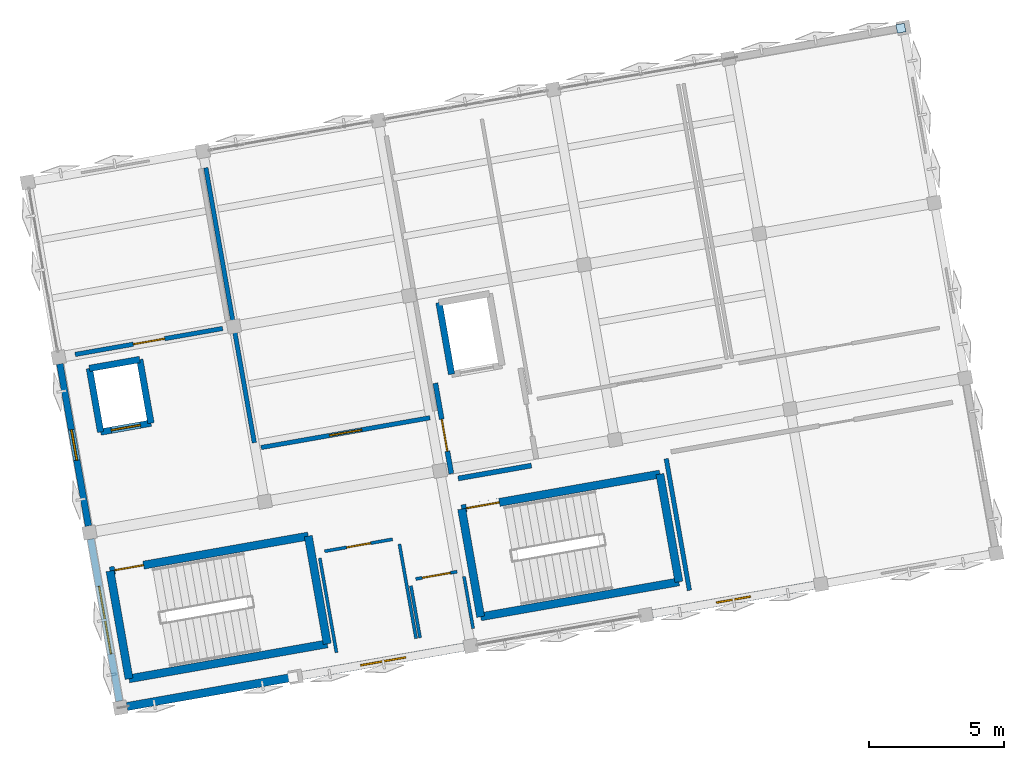
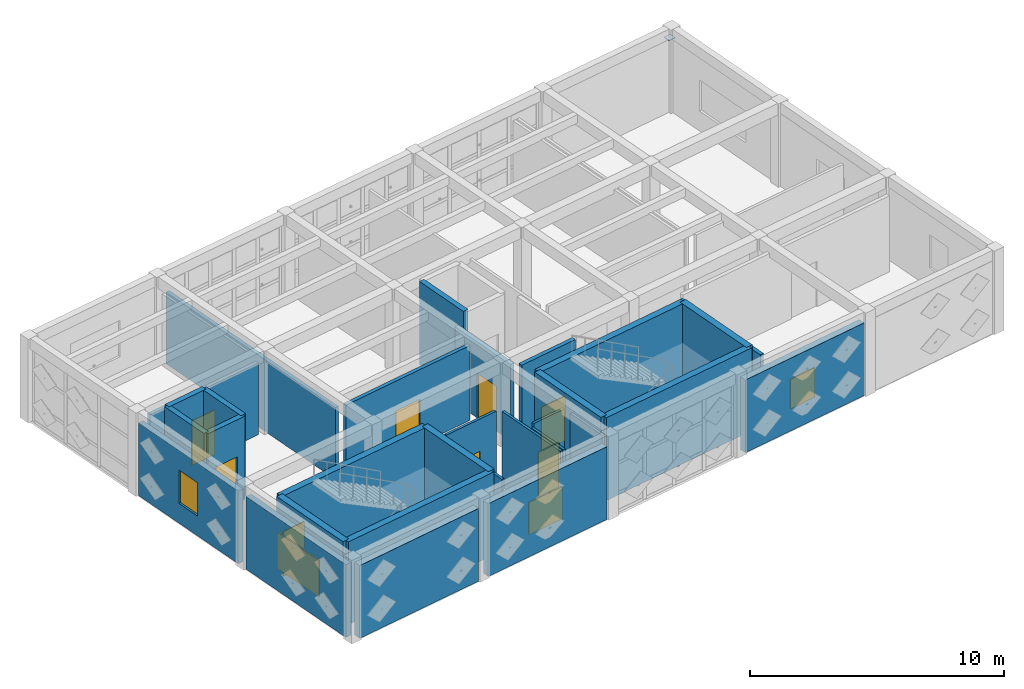
# One storey, part 11 of 15: 30 walls, 8 doors, 4 windows, 1 plate, 12 openings.
"""IFC4 building model written with IfcOpenShell, lengths in metres."""

from ifc_helpers import new_model, si_unit, direction, frame, frame_2d, origin, origin_2d, place, context, subcontext, project, spatial, rectangle, extrude, material, layer, layer_set, type_object, element, fill, save


model = new_model("IFC4")

# Units and contexts
model_context = context("Model", 3, precision=1e-05, world=origin(), true_north=direction((0.0, 1.0)))
body_context = subcontext(model_context, "Body", "Model", "MODEL_VIEW")
ifc_project = project(units=[si_unit("LENGTHUNIT", "METRE"), si_unit("AREAUNIT", "SQUARE_METRE"), si_unit("VOLUMEUNIT", "CUBIC_METRE"), si_unit("PLANEANGLEUNIT", "RADIAN"), si_unit("MASSUNIT", "GRAM", prefix="KILO")], contexts=[model_context])

# Site, building, storey
site_placement = place(None, origin())
site = spatial("IfcSite", under=ifc_project, at=site_placement, CompositionType="ELEMENT")
building_placement = place(site_placement, origin())
building = spatial("IfcBuilding", under=site, at=building_placement, Name="Kharisveld Research Institute", CompositionType="ELEMENT")
storey_placement = place(building_placement, frame((0.0, 0.0, 40.800048828125)))
storey = spatial("IfcBuildingStorey", under=building, at=storey_placement, Name="L09", CompositionType="ELEMENT", Elevation=40.800048828125)

# Plate
ifc_material_1 = material(Name="Steel S355JR", Category="steel")
ifc_layer_1 = layer(ifc_material_1, 0.01806640625)
ifc_layer_set_1 = layer_set([ifc_layer_1], Name="PL_CAP_B")
plate_type = type_object("IfcPlateType", Name="PL_CAP_B", PredefinedType="SHEET", material=ifc_layer_set_1)
plate_placement = place(storey_placement, frame((34.161865234375, 60.22216796875, 3.450927734375), z_axis=(0.0, 0.0, 1.0), x_axis=(0.984807753012, 0.173648177667, 0.0)))
element("IfcPlate", 1, at=plate_placement, inside=storey, type_object=plate_type, Name="PLT:V1:L09:CAP_4_3", PredefinedType="SHEET", context=body_context, shape_type="SweptSolid", body=[
    extrude(rectangle(XDim=0.320068359375, YDim=0.320068359375, at=origin_2d()), origin(), (0.0, 0.0, 1.0), 0.01806640625),
])

# Walls
ifc_material_2 = material(Name="Concrete C40/50", Category="concrete")
ifc_layer_2 = layer(ifc_material_2, 0.239990234375)
ifc_layer_set_2 = layer_set([ifc_layer_2], Name="WL_CORE_240")
wall_type_1 = type_object("IfcWallType", Name="WL_CORE_240", PredefinedType="SHEAR", material=ifc_layer_set_2)
wall_1_placement = place(storey_placement, frame((17.48828125, 47.3818359375, 0.0), z_axis=(0.0, 0.0, 1.0), x_axis=(-0.173615102578, 0.98481358447, 0.0)))
element("IfcWall", 2, at=wall_1_placement, inside=storey, type_object=wall_type_1, Name="WL:LFT:FFL-01:L09:W", PredefinedType="SHEAR", context=body_context, shape_type="SweptSolid", body=[
    extrude(rectangle(XDim=2.699951171875, YDim=0.239990234375, at=frame_2d((1.35009765625, 0.0))), origin(), (0.0, 0.0, 1.0), 3.97998046875),
])
wall_2_placement = place(storey_placement, frame((4.462890625, 45.2373046875, 0.0), z_axis=(0.0, 0.0, 1.0), x_axis=(-0.173646056486, 0.984808127031, 0.0)))
element("IfcWall", 3, at=wall_2_placement, inside=storey, type_object=wall_type_1, Name="WL:LFT:PL-01:L09:W", PredefinedType="SHEAR", context=body_context, shape_type="SweptSolid", body=[
    extrude(rectangle(XDim=2.39990234375, YDim=0.239990234375, at=frame_2d((1.199951171875, 0.0))), origin(), (0.0, 0.0, 1.0), 3.97998046875),
])
wall_3_placement = place(storey_placement, frame((4.046142578125, 47.600830078125, 0.0), z_axis=(0.0, 0.0, 1.0), x_axis=(0.984793905749, 0.173726691098, 0.0)))
element("IfcWall", 4, at=wall_3_placement, inside=storey, type_object=wall_type_1, Name="WL:LFT:PL-01:L09:N", PredefinedType="SHEAR", context=body_context, shape_type="SweptSolid", body=[
    extrude(rectangle(XDim=1.89990234375, YDim=0.239990234375, at=frame_2d((0.949951171875, 0.0))), origin(), (0.0, 0.0, 1.0), 3.97998046875),
])
wall_4_placement = place(storey_placement, frame((5.917236328125, 47.930908203125, 0.0), z_axis=(0.0, 0.0, 1.0), x_axis=(0.173646056486, -0.984808127031, 0.0)))
element("IfcWall", 5, at=wall_4_placement, inside=storey, type_object=wall_type_1, Name="WL:LFT:PL-01:L09:E", PredefinedType="SHEAR", context=body_context, shape_type="SweptSolid", body=[
    extrude(rectangle(XDim=2.39990234375, YDim=0.239990234375, at=frame_2d((1.199951171875, 0.0))), origin(), (0.0, 0.0, 1.0), 3.97998046875),
])

# Wall, opening, door
wall_5_placement = place(storey_placement, frame((6.333984375, 45.5673828125, 0.0), z_axis=(0.0, 0.0, 1.0), x_axis=(-0.984793905749, -0.173726691098, 0.0)))
wall_5 = element("IfcWall", 6, at=wall_5_placement, inside=storey, type_object=wall_type_1, Name="WL:LFT:PL-01:L09:S", PredefinedType="SHEAR", context=body_context, shape_type="SweptSolid", body=[
    extrude(rectangle(XDim=1.89990234375, YDim=0.239990234375, at=frame_2d((0.949951171875, 0.0))), origin(), (0.0, 0.0, 1.0), 3.97998046875),
])
opening_1_placement = place(wall_5_placement, frame((0.39990234375, 0.0, 0.0)))
opening_1 = element("IfcOpeningElement", 7, at=opening_1_placement, cuts=wall_5, Name="Opening LD-01", PredefinedType="OPENING", context=body_context, shape_type="SweptSolid", body=[
    extrude(rectangle(XDim=1.10009765625, YDim=2.199951171875, at=frame_2d((0.550048828125, 1.10009765625))), frame((0.0, 0.1201171875, 0.0), z_axis=(0.0, -1.0, 0.0), x_axis=(1.0, 0.0, 0.0)), (0.0, 0.0, 1.0), 0.239990234375),
])
ifc_material_3 = material(Name="Flush Painted Hardwood and Anodised Aluminium", Category="wood")
door_type_1 = type_object("IfcDoorType", Name="DR_LFT_110", OperationType="SLIDING_TO_LEFT", PredefinedType="DOOR", material=ifc_material_3)
door_1_placement = place(opening_1_placement, origin())
door_1 = element("IfcDoor", 8, at=door_1_placement, inside=storey, type_object=door_type_1, Name="PL-01 Lift Landing Door L09", OperationType="SLIDING_TO_LEFT", OverallHeight=2.199951171875, OverallWidth=1.10009765625, PredefinedType="DOOR", context=body_context, shape_type="SweptSolid", body=[
    extrude(rectangle(XDim=1.10009765625, YDim=2.199951171875, at=frame_2d((0.550048828125, 1.10009765625))), frame((0.0, 0.02490234375, 0.0), z_axis=(0.0, -1.0, 0.0), x_axis=(1.0, 0.0, 0.0)), (0.0, 0.0, 1.0), 0.050048828125),
])
fill(opening_1, door_1)

# Wall
ifc_material_4 = material(Name="Concrete C40/50", Category="concrete")
ifc_layer_3 = layer(ifc_material_4, 0.300048828125)
ifc_layer_set_3 = layer_set([ifc_layer_3], Name="WL_CORE_300")
wall_type_2 = type_object("IfcWallType", Name="WL_CORE_300", PredefinedType="SHEAR", material=ifc_layer_set_3)
wall_6_placement = place(storey_placement, frame((5.518798828125, 36.08154296875, 0.0), z_axis=(0.0, 0.0, 1.0), x_axis=(-0.173665267602, 0.984804739443, 0.0)))
element("IfcWall", 9, at=wall_6_placement, inside=storey, type_object=wall_type_2, Name="WL:STR:ST1:L09:W", PredefinedType="SHEAR", context=body_context, shape_type="SweptSolid", body=[
    extrude(rectangle(XDim=4.06005859375, YDim=0.300048828125, at=frame_2d((2.030029296875, 0.0))), origin(), (0.0, 0.0, 1.0), 3.97998046875),
])

# Wall, opening, door
wall_7_placement = place(storey_placement, frame((4.813720703125, 40.079833984375, 0.0), z_axis=(0.0, 0.0, 1.0), x_axis=(0.984802636214, 0.173677193974, 0.0)))
wall_7 = element("IfcWall", 10, at=wall_7_placement, inside=storey, type_object=wall_type_2, Name="WL:STR:ST1:L09:N", PredefinedType="SHEAR", context=body_context, shape_type="SweptSolid", body=[
    extrude(rectangle(XDim=7.469970703125, YDim=0.300048828125, at=frame_2d((3.73486328125, 0.0))), origin(), (0.0, 0.0, 1.0), 3.97998046875),
])
opening_2_placement = place(wall_7_placement, frame((0.179931640625, 0.0, 0.0)))
opening_2 = element("IfcOpeningElement", 11, at=opening_2_placement, cuts=wall_7, Name="Opening DS-011", PredefinedType="OPENING", context=body_context, shape_type="SweptSolid", body=[
    extrude(rectangle(XDim=1.080078125, YDim=2.14990234375, at=frame_2d((0.5400390625, 1.074951171875))), frame((0.0, 0.14990234375, 0.0), z_axis=(0.0, -1.0, 0.0), x_axis=(1.0, 0.0, 0.0)), (0.0, 0.0, 1.0), 0.300048828125),
])
ifc_material_5 = material(Name="Flush Painted Hardwood and Anodised Aluminium", Category="wood")
door_type_2 = type_object("IfcDoorType", Name="DR_FD60_108", OperationType="NOTDEFINED", PredefinedType="DOOR", material=ifc_material_5)
door_2_placement = place(opening_2_placement, origin())
door_2 = element("IfcDoor", 12, at=door_2_placement, inside=storey, type_object=door_type_2, Name="DR:STR:ST1:L09", OperationType="SINGLE_SWING_RIGHT", OverallHeight=2.14990234375, OverallWidth=1.080078125, PredefinedType="DOOR", context=body_context, shape_type="SweptSolid", body=[
    extrude(rectangle(XDim=1.080078125, YDim=2.14990234375, at=frame_2d((0.5400390625, 1.074951171875))), frame((0.0, 0.02490234375, 0.0), z_axis=(0.0, -1.0, 0.0), x_axis=(1.0, 0.0, 0.0)), (0.0, 0.0, 1.0), 0.050048828125),
])
fill(opening_2, door_2)

# Walls
wall_8_placement = place(storey_placement, frame((12.170166015625, 41.377197265625, 0.0), z_axis=(0.0, 0.0, 1.0), x_axis=(0.173654983803, -0.984806552883, 0.0)))
element("IfcWall", 13, at=wall_8_placement, inside=storey, type_object=wall_type_2, Name="WL:STR:ST1:L09:E", PredefinedType="SHEAR", context=body_context, shape_type="SweptSolid", body=[
    extrude(rectangle(XDim=4.060302734375, YDim=0.300048828125, at=frame_2d((2.0302734375, 0.0))), origin(), (0.0, 0.0, 1.0), 3.97998046875),
])
wall_9_placement = place(storey_placement, frame((12.875244140625, 37.378662109375, 0.0), z_axis=(0.0, 0.0, 1.0), x_axis=(-0.984808225754, -0.173645496596, 0.0)))
element("IfcWall", 14, at=wall_9_placement, inside=storey, type_object=wall_type_2, Name="WL:STR:ST1:L09:S", PredefinedType="SHEAR", context=body_context, shape_type="SweptSolid", body=[
    extrude(rectangle(XDim=7.469970703125, YDim=0.300048828125, at=frame_2d((3.73486328125, 0.0))), origin(), (0.0, 0.0, 1.0), 3.97998046875),
])
wall_10_placement = place(storey_placement, frame((18.5673828125, 38.382568359375, 0.0), z_axis=(0.0, 0.0, 1.0), x_axis=(-0.173606946886, 0.984815022221, 0.0)))
element("IfcWall", 15, at=wall_10_placement, inside=storey, type_object=wall_type_2, Name="WL:STR:ST2:L09:W", PredefinedType="SHEAR", context=body_context, shape_type="SweptSolid", body=[
    extrude(rectangle(XDim=4.06005859375, YDim=0.300048828125, at=frame_2d((2.030029296875, 0.0))), origin(), (0.0, 0.0, 1.0), 3.97998046875),
])

# Wall, opening, door
wall_11_placement = place(storey_placement, frame((17.862548828125, 42.380859375, 0.0), z_axis=(0.0, 0.0, 1.0), x_axis=(0.984808225754, 0.173645496596, 0.0)))
wall_11 = element("IfcWall", 16, at=wall_11_placement, inside=storey, type_object=wall_type_2, Name="WL:STR:ST2:L09:N", PredefinedType="SHEAR", context=body_context, shape_type="SweptSolid", body=[
    extrude(rectangle(XDim=7.469970703125, YDim=0.300048828125, at=frame_2d((3.73486328125, 0.0))), origin(), (0.0, 0.0, 1.0), 3.97998046875),
])
opening_3_placement = place(wall_11_placement, frame((0.179931640625, 0.0, 0.0)))
opening_3 = element("IfcOpeningElement", 17, at=opening_3_placement, cuts=wall_11, Name="Opening DS-024", PredefinedType="OPENING", context=body_context, shape_type="SweptSolid", body=[
    extrude(rectangle(XDim=1.239990234375, YDim=2.14990234375, at=frame_2d((0.6201171875, 1.074951171875))), frame((0.0, 0.14990234375, 0.0), z_axis=(0.0, -1.0, 0.0), x_axis=(1.0, 0.0, 0.0)), (0.0, 0.0, 1.0), 0.300048828125),
])
ifc_material_6 = material(Name="Flush Painted Hardwood and Anodised Aluminium", Category="wood")
door_type_3 = type_object("IfcDoorType", Name="DR_FD60_124", OperationType="NOTDEFINED", PredefinedType="DOOR", material=ifc_material_6)
door_3_placement = place(opening_3_placement, origin())
door_3 = element("IfcDoor", 18, at=door_3_placement, inside=storey, type_object=door_type_3, Name="DR:STR:ST2:L09", OperationType="SINGLE_SWING_LEFT", OverallHeight=2.14990234375, OverallWidth=1.239990234375, PredefinedType="DOOR", context=body_context, shape_type="SweptSolid", body=[
    extrude(rectangle(XDim=1.239990234375, YDim=2.14990234375, at=frame_2d((0.6201171875, 1.074951171875))), frame((0.0, 0.02490234375, 0.0), z_axis=(0.0, -1.0, 0.0), x_axis=(1.0, 0.0, 0.0)), (0.0, 0.0, 1.0), 0.050048828125),
])
fill(opening_3, door_3)

# Walls
wall_12_placement = place(storey_placement, frame((25.218994140625, 43.677978515625, 0.0), z_axis=(0.0, 0.0, 1.0), x_axis=(0.173665267602, -0.984804739443, 0.0)))
element("IfcWall", 19, at=wall_12_placement, inside=storey, type_object=wall_type_2, Name="WL:STR:ST2:L09:E", PredefinedType="SHEAR", context=body_context, shape_type="SweptSolid", body=[
    extrude(rectangle(XDim=4.06005859375, YDim=0.300048828125, at=frame_2d((2.030029296875, 0.0))), origin(), (0.0, 0.0, 1.0), 3.97998046875),
])
wall_13_placement = place(storey_placement, frame((25.924072265625, 39.6796875, 0.0), z_axis=(0.0, 0.0, 1.0), x_axis=(-0.984809211193, -0.173639907711, 0.0)))
element("IfcWall", 20, at=wall_13_placement, inside=storey, type_object=wall_type_2, Name="WL:STR:ST2:L09:S", PredefinedType="SHEAR", context=body_context, shape_type="SweptSolid", body=[
    extrude(rectangle(XDim=7.47021484375, YDim=0.300048828125, at=frame_2d((3.735107421875, 0.0))), origin(), (0.0, 0.0, 1.0), 3.97998046875),
])

# Wall, opening, window
ifc_material_7 = material(Name="Lightweight Acoustic Spandrel", Category="mineral")
ifc_layer_4 = layer(ifc_material_7, 0.2451171875)
ifc_layer_set_4 = layer_set([ifc_layer_4], Name="WL_EXT_245")
wall_type_3 = type_object("IfcWallType", Name="WL_EXT_245", PredefinedType="STANDARD", material=ifc_layer_set_4)
wall_14_placement = place(storey_placement, frame((4.011474609375, 41.7509765625, 0.0), z_axis=(0.0, 0.0, 1.0), x_axis=(-0.173657681232, 0.98480607723, 0.0)))
wall_14 = element("IfcWall", 21, at=wall_14_placement, inside=storey, type_object=wall_type_3, Name="WL:V1:L09:W1", PredefinedType="STANDARD", context=body_context, shape_type="SweptSolid", body=[
    extrude(rectangle(XDim=6.10986328125, YDim=0.2451171875, at=frame_2d((3.054931640625, 0.0))), origin(), (0.0, 0.0, 1.0), 3.494873046875),
])
opening_4_placement = place(wall_14_placement, frame((2.47998046875, 0.0, 0.949951171875)))
opening_4 = element("IfcOpeningElement", 22, at=opening_4_placement, cuts=wall_14, Name="Opening WN-16", PredefinedType="OPENING", context=body_context, shape_type="SweptSolid", body=[
    extrude(rectangle(XDim=1.14990234375, YDim=1.60009765625, at=frame_2d((0.574951171875, 0.800048828125))), frame((0.0, 0.12255859375, 0.0), z_axis=(0.0, -1.0, 0.0), x_axis=(1.0, 0.0, 0.0)), (0.0, 0.0, 1.0), 0.2451171875),
])
ifc_material_8 = material(Name="Low-E Double Glazing", Category="glass")
window_type_1 = type_object("IfcWindowType", Name="WN_16", PartitioningType="SINGLE_PANEL", PredefinedType="WINDOW", material=ifc_material_8)
window_1_placement = place(opening_4_placement, origin())
window_1 = element("IfcWindow", 23, at=window_1_placement, inside=storey, type_object=window_type_1, Name="WN:V1:L09:W1", OverallHeight=1.60009765625, OverallWidth=1.14990234375, PartitioningType="SINGLE_PANEL", PredefinedType="WINDOW", context=body_context, shape_type="SweptSolid", body=[
    extrude(rectangle(XDim=1.14990234375, YDim=1.60009765625, at=frame_2d((0.574951171875, 0.800048828125))), frame((0.0, 0.030029296875, 0.0), z_axis=(0.0, -1.0, 0.0), x_axis=(1.0, 0.0, 0.0)), (0.0, 0.0, 1.0), 0.06005859375),
])
fill(opening_4, window_1)

ifc_material_9 = material(Name="Precast Concrete C40/50 Thermal Wall", Category="concrete")
ifc_layer_5 = layer(ifc_material_9, 0.260009765625)
ifc_layer_set_5 = layer_set([ifc_layer_5], Name="WL_EXT_260")
wall_type_4 = type_object("IfcWallType", Name="WL_EXT_260", PredefinedType="STANDARD", material=ifc_layer_set_5)
wall_15_placement = place(storey_placement, frame((5.157470703125, 35.251220703125, 0.0), z_axis=(0.0, 0.0, 1.0), x_axis=(-0.173650847905, 0.984807282173, 0.0)))
wall_15 = element("IfcWall", 24, at=wall_15_placement, inside=storey, type_object=wall_type_4, Name="WL:V1:L09:W0", PredefinedType="STANDARD", context=body_context, shape_type="SweptSolid", body=[
    extrude(rectangle(XDim=6.110107421875, YDim=0.260009765625, at=frame_2d((3.05517578125, 0.0))), origin(), (0.0, 0.0, 1.0), 3.494873046875),
])
opening_5_placement = place(wall_15_placement, frame((1.780029296875, 0.0, 0.949951171875)))
opening_5 = element("IfcOpeningElement", 25, at=opening_5_placement, cuts=wall_15, Name="Opening WN-15", PredefinedType="OPENING", context=body_context, shape_type="SweptSolid", body=[
    extrude(rectangle(XDim=2.550048828125, YDim=1.75, at=frame_2d((1.27490234375, 0.875))), frame((0.0, 0.1298828125, 0.0), z_axis=(0.0, -1.0, 0.0), x_axis=(1.0, 0.0, 0.0)), (0.0, 0.0, 1.0), 0.260009765625),
])
ifc_material_10 = material(Name="Low-E Double Glazing", Category="glass")
window_type_2 = type_object("IfcWindowType", Name="WN_15", PartitioningType="TRIPLE_PANEL_VERTICAL", PredefinedType="WINDOW", material=ifc_material_10)
window_2_placement = place(opening_5_placement, origin())
window_2 = element("IfcWindow", 26, at=window_2_placement, inside=storey, type_object=window_type_2, Name="WN:V1:L09:W0", OverallHeight=1.75, OverallWidth=2.550048828125, PartitioningType="SINGLE_PANEL", PredefinedType="WINDOW", context=body_context, shape_type="SweptSolid", body=[
    extrude(rectangle(XDim=2.550048828125, YDim=1.75, at=frame_2d((1.27490234375, 0.875))), frame((0.0, 0.030029296875, 0.0), z_axis=(0.0, -1.0, 0.0), x_axis=(1.0, 0.0, 0.0)), (0.0, 0.0, 1.0), 0.06005859375),
])
fill(opening_5, window_2)

ifc_material_11 = material(Name="Precast Concrete C40/50 Ochre Panel", Category="concrete")
ifc_layer_6 = layer(ifc_material_11, 0.304931640625)
ifc_layer_set_6 = layer_set([ifc_layer_6], Name="WL_EXT_305")
wall_type_5 = type_object("IfcWallType", Name="WL_EXT_305", PredefinedType="STANDARD", material=ifc_layer_set_6)
wall_16_placement = place(storey_placement, frame((30.957763671875, 39.5517578125, 0.0), z_axis=(0.0, 0.0, 1.0), x_axis=(-0.984807282173, -0.173650847905, 0.0)))
wall_16 = element("IfcWall", 27, at=wall_16_placement, inside=storey, type_object=wall_type_5, Name="WL:V1:L09:S4", PredefinedType="STANDARD", context=body_context, shape_type="SweptSolid", body=[
    extrude(rectangle(XDim=6.110107421875, YDim=0.304931640625, at=frame_2d((3.05517578125, 0.0))), origin(), (0.0, 0.0, 1.0), 3.494873046875),
])
opening_6_placement = place(wall_16_placement, frame((2.4150390625, 0.0, 0.949951171875)))
opening_6 = element("IfcOpeningElement", 28, at=opening_6_placement, cuts=wall_16, Name="Opening WN-19", PredefinedType="OPENING", context=body_context, shape_type="SweptSolid", body=[
    extrude(rectangle(XDim=1.280029296875, YDim=1.419921875, at=frame_2d((0.64013671875, 0.7099609375))), frame((0.0, 0.15234375, 0.0), z_axis=(0.0, -1.0, 0.0), x_axis=(1.0, 0.0, 0.0)), (0.0, 0.0, 1.0), 0.304931640625),
])
ifc_material_12 = material(Name="Low-E Double Glazing", Category="glass")
window_type_3 = type_object("IfcWindowType", Name="WN_19", PartitioningType="SINGLE_PANEL", PredefinedType="WINDOW", material=ifc_material_12)
window_3_placement = place(opening_6_placement, origin())
window_3 = element("IfcWindow", 29, at=window_3_placement, inside=storey, type_object=window_type_3, Name="WN:V1:L09:S4", OverallHeight=1.419921875, OverallWidth=1.280029296875, PartitioningType="SINGLE_PANEL", PredefinedType="WINDOW", context=body_context, shape_type="SweptSolid", body=[
    extrude(rectangle(XDim=1.280029296875, YDim=1.419921875, at=frame_2d((0.64013671875, 0.7099609375))), frame((0.0, 0.030029296875, 0.0), z_axis=(0.0, -1.0, 0.0), x_axis=(1.0, 0.0, 0.0)), (0.0, 0.0, 1.0), 0.06005859375),
])
fill(opening_6, window_3)

wall_17_placement = place(storey_placement, frame((17.958251953125, 37.259521484375, 0.0), z_axis=(0.0, 0.0, 1.0), x_axis=(-0.98481411452, -0.173612095898, 0.0)))
wall_17 = element("IfcWall", 30, at=wall_17_placement, inside=storey, type_object=wall_type_5, Name="WL:V1:L09:S2", PredefinedType="STANDARD", context=body_context, shape_type="SweptSolid", body=[
    extrude(rectangle(XDim=6.110107421875, YDim=0.304931640625, at=frame_2d((3.05517578125, 0.0))), origin(), (0.0, 0.0, 1.0), 3.494873046875),
])
opening_7_placement = place(wall_17_placement, frame((2.205078125, 0.0, 0.949951171875)))
opening_7 = element("IfcOpeningElement", 31, at=opening_7_placement, cuts=wall_17, Name="Opening WN-17", PredefinedType="OPENING", context=body_context, shape_type="SweptSolid", body=[
    extrude(rectangle(XDim=1.699951171875, YDim=1.550048828125, at=frame_2d((0.85009765625, 0.77490234375))), frame((0.0, 0.15234375, 0.0), z_axis=(0.0, -1.0, 0.0), x_axis=(1.0, 0.0, 0.0)), (0.0, 0.0, 1.0), 0.304931640625),
])
ifc_material_13 = material(Name="Low-E Double Glazing", Category="glass")
window_type_4 = type_object("IfcWindowType", Name="WN_17", PartitioningType="DOUBLE_PANEL_VERTICAL", PredefinedType="WINDOW", material=ifc_material_13)
window_4_placement = place(opening_7_placement, origin())
window_4 = element("IfcWindow", 32, at=window_4_placement, inside=storey, type_object=window_type_4, Name="WN:V1:L09:S2", OverallHeight=1.550048828125, OverallWidth=1.699951171875, PartitioningType="SINGLE_PANEL", PredefinedType="WINDOW", context=body_context, shape_type="SweptSolid", body=[
    extrude(rectangle(XDim=1.699951171875, YDim=1.550048828125, at=frame_2d((0.85009765625, 0.77490234375))), frame((0.0, 0.030029296875, 0.0), z_axis=(0.0, -1.0, 0.0), x_axis=(1.0, 0.0, 0.0)), (0.0, 0.0, 1.0), 0.06005859375),
])
fill(opening_7, window_4)

# Wall
wall_18_placement = place(storey_placement, frame((11.45849609375, 36.113525390625, 0.0), z_axis=(0.0, 0.0, 1.0), x_axis=(-0.984807282173, -0.173650847905, 0.0)))
element("IfcWall", 33, at=wall_18_placement, inside=storey, type_object=wall_type_5, Name="WL:V1:L09:S1", PredefinedType="STANDARD", context=body_context, shape_type="SweptSolid", body=[
    extrude(rectangle(XDim=6.110107421875, YDim=0.304931640625, at=frame_2d((3.05517578125, 0.0))), origin(), (0.0, 0.0, 1.0), 3.494873046875),
])

# Wall, opening, door
ifc_material_14 = material(Name="Acoustic Drywall Partition", Category="mineral")
ifc_layer_7 = layer(ifc_material_14, 0.1650390625)
ifc_layer_set_7 = layer_set([ifc_layer_7], Name="WL_LAB_165")
wall_type_6 = type_object("IfcWallType", Name="WL_LAB_165", PredefinedType="PARTITIONING", material=ifc_layer_set_7)
wall_19_placement = place(storey_placement, frame((3.518310546875, 48.1171875, 0.0), z_axis=(0.0, 0.0, 1.0), x_axis=(0.984812720019, 0.173620006017, 0.0)))
wall_19 = element("IfcWall", 34, at=wall_19_placement, inside=storey, type_object=wall_type_6, Name="WL:RM:V1:L09:NW9:S", PredefinedType="PARTITIONING", context=body_context, shape_type="SweptSolid", body=[
    extrude(rectangle(XDim=5.56005859375, YDim=0.1650390625, at=frame_2d((2.780029296875, 0.0))), origin(), (0.0, 0.0, 1.0), 3.445068359375),
])
opening_8_placement = place(wall_19_placement, frame((2.18994140625, 0.0, 0.0)))
opening_8 = element("IfcOpeningElement", 35, at=opening_8_placement, cuts=wall_19, Name="Opening DI-154", PredefinedType="OPENING", context=body_context, shape_type="SweptSolid", body=[
    extrude(rectangle(XDim=1.179931640625, YDim=2.139892578125, at=frame_2d((0.58984375, 1.06982421875))), frame((0.0, 0.08251953125, 0.0), z_axis=(0.0, -1.0, 0.0), x_axis=(1.0, 0.0, 0.0)), (0.0, 0.0, 1.0), 0.1650390625),
])
ifc_material_15 = material(Name="Flush Painted Hardwood and Anodised Aluminium", Category="wood")
door_type_4 = type_object("IfcDoorType", Name="DR_VAR_10", OperationType="NOTDEFINED", PredefinedType="DOOR", material=ifc_material_15)
door_4_placement = place(opening_8_placement, origin())
door_4 = element("IfcDoor", 36, at=door_4_placement, inside=storey, type_object=door_type_4, Name="DR:RM:V1:L09:NW9:S", OperationType="SINGLE_SWING_RIGHT", OverallHeight=2.139892578125, OverallWidth=1.179931640625, PredefinedType="DOOR", context=body_context, shape_type="SweptSolid", body=[
    extrude(rectangle(XDim=1.179931640625, YDim=2.139892578125, at=frame_2d((0.58984375, 1.06982421875))), frame((0.0, 0.02490234375, 0.0), z_axis=(0.0, -1.0, 0.0), x_axis=(1.0, 0.0, 0.0)), (0.0, 0.0, 1.0), 0.050048828125),
])
fill(opening_8, door_4)

wall_20_placement = place(storey_placement, frame((10.423095703125, 44.66357421875, 0.0), z_axis=(0.0, 0.0, 1.0), x_axis=(0.984804420334, 0.173667077165, 0.0)))
wall_20 = element("IfcWall", 37, at=wall_20_placement, inside=storey, type_object=wall_type_6, Name="WL:RM:V1:L09:DL9A:S", PredefinedType="PARTITIONING", context=body_context, shape_type="SweptSolid", body=[
    extrude(rectangle(XDim=6.35986328125, YDim=0.1650390625, at=frame_2d((3.179931640625, 0.0))), origin(), (0.0, 0.0, 1.0), 3.594970703125),
])
opening_9_placement = place(wall_20_placement, frame((2.574951171875, 0.0, 0.0)))
opening_9 = element("IfcOpeningElement", 38, at=opening_9_placement, cuts=wall_20, Name="Opening DI-155", PredefinedType="OPENING", context=body_context, shape_type="SweptSolid", body=[
    extrude(rectangle(XDim=1.2099609375, YDim=2.159912109375, at=frame_2d((0.60498046875, 1.080078125))), frame((0.0, 0.08251953125, 0.0), z_axis=(0.0, -1.0, 0.0), x_axis=(1.0, 0.0, 0.0)), (0.0, 0.0, 1.0), 0.1650390625),
])
ifc_material_16 = material(Name="Flush Painted Hardwood and Anodised Aluminium", Category="wood")
door_type_5 = type_object("IfcDoorType", Name="DR_VAR_11", OperationType="NOTDEFINED", PredefinedType="DOOR", material=ifc_material_16)
door_5_placement = place(opening_9_placement, origin())
door_5 = element("IfcDoor", 39, at=door_5_placement, inside=storey, type_object=door_type_5, Name="DR:RM:V1:L09:DL9A:S", OperationType="SINGLE_SWING_LEFT", OverallHeight=2.159912109375, OverallWidth=1.2099609375, PredefinedType="DOOR", context=body_context, shape_type="SweptSolid", body=[
    extrude(rectangle(XDim=1.2099609375, YDim=2.159912109375, at=frame_2d((0.60498046875, 1.080078125))), frame((0.0, 0.02490234375, 0.0), z_axis=(0.0, -1.0, 0.0), x_axis=(1.0, 0.0, 0.0)), (0.0, 0.0, 1.0), 0.050048828125),
])
fill(opening_9, door_5)

# Walls
wall_21_placement = place(storey_placement, frame((8.369140625, 55.044677734375, 0.0), z_axis=(0.0, 0.0, 1.0), x_axis=(0.173654930775, -0.984806562233, 0.0)))
element("IfcWall", 40, at=wall_21_placement, inside=storey, type_object=wall_type_6, Name="WL:RM:V1:L09:DL9A:W", PredefinedType="PARTITIONING", context=body_context, shape_type="SweptSolid", body=[
    extrude(rectangle(XDim=10.360107421875, YDim=0.1650390625, at=frame_2d((5.18017578125, 0.0))), origin(), (0.0, 0.0, 1.0), 3.445068359375),
])
wall_22_placement = place(storey_placement, frame((25.45361328125, 44.247314453125, 0.0), z_axis=(0.0, 0.0, 1.0), x_axis=(0.173658971256, -0.98480584975, 0.0)))
element("IfcWall", 41, at=wall_22_placement, inside=storey, type_object=wall_type_6, Name="WL:RM:V1:L09:SEM9:W", PredefinedType="PARTITIONING", context=body_context, shape_type="SweptSolid", body=[
    extrude(rectangle(XDim=4.9599609375, YDim=0.1650390625, at=frame_2d((2.47998046875, 0.0))), origin(), (0.0, 0.0, 1.0), 3.64990234375),
])
ifc_material_17 = material(Name="Masonry Blockwork", Category="masonry")
ifc_layer_8 = layer(ifc_material_17, 0.18505859375)
ifc_layer_set_8 = layer_set([ifc_layer_8], Name="WL_LOB_185")
wall_type_7 = type_object("IfcWallType", Name="WL_LOB_185", PredefinedType="SOLIDWALL", material=ifc_layer_set_8)
wall_23_placement = place(storey_placement, frame((17.7333984375, 43.515625, 0.0), z_axis=(0.0, 0.0, 1.0), x_axis=(0.984808483292, 0.173644035992, 0.0)))
element("IfcWall", 42, at=wall_23_placement, inside=storey, type_object=wall_type_7, Name="WL:RM:V1:L09:FFL:S", PredefinedType="SOLIDWALL", context=body_context, shape_type="SweptSolid", body=[
    extrude(rectangle(XDim=2.760009765625, YDim=0.18505859375, at=frame_2d((1.3798828125, 0.0))), origin(), (0.0, 0.0, 1.0), 3.64990234375),
])

# Wall, opening, door
wall_24_placement = place(storey_placement, frame((16.886474609375, 47.05224609375, 0.0), z_axis=(0.0, 0.0, 1.0), x_axis=(0.173621956536, -0.984812376145, 0.0)))
wall_24 = element("IfcWall", 43, at=wall_24_placement, inside=storey, type_object=wall_type_7, Name="WL:RM:V1:L09:FFL:W", PredefinedType="SOLIDWALL", context=body_context, shape_type="SweptSolid", body=[
    extrude(rectangle(XDim=3.409912109375, YDim=0.18505859375, at=frame_2d((1.705078125, 0.0))), origin(), (0.0, 0.0, 1.0), 3.64990234375),
])
opening_10_placement = place(wall_24_placement, frame((1.360107421875, 0.0, 0.0)))
opening_10 = element("IfcOpeningElement", 44, at=opening_10_placement, cuts=wall_24, Name="Opening DI-151", PredefinedType="OPENING", context=body_context, shape_type="SweptSolid", body=[
    extrude(rectangle(XDim=1.199951171875, YDim=2.14990234375, at=frame_2d((0.60009765625, 1.074951171875))), frame((0.0, 0.092529296875, 0.0), z_axis=(0.0, -1.0, 0.0), x_axis=(1.0, 0.0, 0.0)), (0.0, 0.0, 1.0), 0.18505859375),
])
ifc_material_18 = material(Name="Flush Painted Hardwood and Anodised Aluminium", Category="wood")
door_type_6 = type_object("IfcDoorType", Name="DR_FD120_120", OperationType="NOTDEFINED", PredefinedType="DOOR", material=ifc_material_18)
door_6_placement = place(opening_10_placement, origin())
door_6 = element("IfcDoor", 45, at=door_6_placement, inside=storey, type_object=door_type_6, Name="DR:RM:V1:L09:FFL:W", OperationType="SINGLE_SWING_LEFT", OverallHeight=2.14990234375, OverallWidth=1.199951171875, PredefinedType="DOOR", context=body_context, shape_type="SweptSolid", body=[
    extrude(rectangle(XDim=1.199951171875, YDim=2.14990234375, at=frame_2d((0.60009765625, 1.074951171875))), frame((0.0, 0.02490234375, 0.0), z_axis=(0.0, -1.0, 0.0), x_axis=(1.0, 0.0, 0.0)), (0.0, 0.0, 1.0), 0.050048828125),
])
fill(opening_10, door_6)

# Wall
ifc_material_19 = material(Name="Moisture-Resistant Partition", Category="mineral")
ifc_layer_9 = layer(ifc_material_19, 0.114990234375)
ifc_layer_set_9 = layer_set([ifc_layer_9], Name="WL_WC_115")
wall_type_8 = type_object("IfcWallType", Name="WL_WC_115", PredefinedType="PARTITIONING", material=ifc_layer_set_9)
wall_25_placement = place(storey_placement, frame((16.17138671875, 37.57421875, 0.0), z_axis=(0.0, 0.0, 1.0), x_axis=(-0.173644490041, 0.984808403233, 0.0)))
element("IfcWall", 46, at=wall_25_placement, inside=storey, type_object=wall_type_8, Name="WL:RM:V1:L09:WCM:E", PredefinedType="PARTITIONING", context=body_context, shape_type="SweptSolid", body=[
    extrude(rectangle(XDim=3.56005859375, YDim=0.114990234375, at=frame_2d((1.780029296875, 0.0))), origin(), (0.0, 0.0, 1.0), 3.64990234375),
])

# Wall, opening, door
wall_26_placement = place(storey_placement, frame((15.29833984375, 41.258544921875, 0.0), z_axis=(0.0, 0.0, 1.0), x_axis=(-0.984803714572, -0.17367107924, 0.0)))
wall_26 = element("IfcWall", 47, at=wall_26_placement, inside=storey, type_object=wall_type_8, Name="WL:RM:V1:L09:WCM:N", PredefinedType="PARTITIONING", context=body_context, shape_type="SweptSolid", body=[
    extrude(rectangle(XDim=2.559814453125, YDim=0.114990234375, at=frame_2d((1.27978515625, 0.0))), origin(), (0.0, 0.0, 1.0), 3.64990234375),
])
opening_11_placement = place(wall_26_placement, frame((0.830078125, 0.0, 0.0)))
opening_11 = element("IfcOpeningElement", 48, at=opening_11_placement, cuts=wall_26, Name="Opening DI-152", PredefinedType="OPENING", context=body_context, shape_type="SweptSolid", body=[
    extrude(rectangle(XDim=0.89990234375, YDim=2.10009765625, at=frame_2d((0.449951171875, 1.050048828125))), frame((0.0, 0.0576171875, 0.0), z_axis=(0.0, -1.0, 0.0), x_axis=(1.0, 0.0, 0.0)), (0.0, 0.0, 1.0), 0.114990234375),
])
ifc_material_20 = material(Name="Flush Painted Hardwood and Anodised Aluminium", Category="wood")
door_type_7 = type_object("IfcDoorType", Name="DR_WC_090", OperationType="NOTDEFINED", PredefinedType="DOOR", material=ifc_material_20)
door_7_placement = place(opening_11_placement, origin())
door_7 = element("IfcDoor", 49, at=door_7_placement, inside=storey, type_object=door_type_7, Name="DR:RM:V1:L09:WCM:N", OperationType="SINGLE_SWING_RIGHT", OverallHeight=2.10009765625, OverallWidth=0.89990234375, PredefinedType="DOOR", context=body_context, shape_type="SweptSolid", body=[
    extrude(rectangle(XDim=0.89990234375, YDim=2.10009765625, at=frame_2d((0.449951171875, 1.050048828125))), frame((0.0, 0.02490234375, 0.0), z_axis=(0.0, -1.0, 0.0), x_axis=(1.0, 0.0, 0.0)), (0.0, 0.0, 1.0), 0.050048828125),
])
fill(opening_11, door_7)

# Walls
wall_27_placement = place(storey_placement, frame((12.598876953125, 40.55908203125, 0.0), z_axis=(0.0, 0.0, 1.0), x_axis=(0.173644490041, -0.984808403233, 0.0)))
element("IfcWall", 50, at=wall_27_placement, inside=storey, type_object=wall_type_8, Name="WL:RM:V1:L09:WCM:W", PredefinedType="PARTITIONING", context=body_context, shape_type="SweptSolid", body=[
    extrude(rectangle(XDim=3.56005859375, YDim=0.114990234375, at=frame_2d((1.780029296875, 0.0))), origin(), (0.0, 0.0, 1.0), 3.64990234375),
])
wall_28_placement = place(storey_placement, frame((18.288818359375, 37.947509765625, 0.0), z_axis=(0.0, 0.0, 1.0), x_axis=(-0.173643211285, 0.984808628706, 0.0)))
element("IfcWall", 51, at=wall_28_placement, inside=storey, type_object=wall_type_8, Name="WL:RM:V1:L09:WCA:E", PredefinedType="PARTITIONING", context=body_context, shape_type="SweptSolid", body=[
    extrude(rectangle(XDim=1.9599609375, YDim=0.114990234375, at=frame_2d((0.97998046875, 0.0))), origin(), (0.0, 0.0, 1.0), 3.445068359375),
])

# Wall, opening, door
wall_29_placement = place(storey_placement, frame((17.693603515625, 40.05615234375, 0.0), z_axis=(0.0, 0.0, 1.0), x_axis=(-0.984797734253, -0.173704987291, 0.0)))
wall_29 = element("IfcWall", 52, at=wall_29_placement, inside=storey, type_object=wall_type_8, Name="WL:RM:V1:L09:WCA:N", PredefinedType="PARTITIONING", context=body_context, shape_type="SweptSolid", body=[
    extrude(rectangle(XDim=1.56005859375, YDim=0.114990234375, at=frame_2d((0.780029296875, 0.0))), origin(), (0.0, 0.0, 1.0), 3.64990234375),
])
opening_12_placement = place(wall_29_placement, frame((0.25, 0.0, 0.0)))
opening_12 = element("IfcOpeningElement", 53, at=opening_12_placement, cuts=wall_29, Name="Opening DI-153", PredefinedType="OPENING", context=body_context, shape_type="SweptSolid", body=[
    extrude(rectangle(XDim=1.06005859375, YDim=2.1201171875, at=frame_2d((0.530029296875, 1.06005859375))), frame((0.0, 0.0576171875, 0.0), z_axis=(0.0, -1.0, 0.0), x_axis=(1.0, 0.0, 0.0)), (0.0, 0.0, 1.0), 0.114990234375),
])
ifc_material_21 = material(Name="Flush Painted Hardwood and Anodised Aluminium", Category="wood")
door_type_8 = type_object("IfcDoorType", Name="DR_WCA_106", OperationType="NOTDEFINED", PredefinedType="DOOR", material=ifc_material_21)
door_8_placement = place(opening_12_placement, origin())
door_8 = element("IfcDoor", 54, at=door_8_placement, inside=storey, type_object=door_type_8, Name="DR:RM:V1:L09:WCA:N", OperationType="SINGLE_SWING_LEFT", OverallHeight=2.1201171875, OverallWidth=1.06005859375, PredefinedType="DOOR", context=body_context, shape_type="SweptSolid", body=[
    extrude(rectangle(XDim=1.06005859375, YDim=2.1201171875, at=frame_2d((0.530029296875, 1.06005859375))), frame((0.0, 0.02490234375, 0.0), z_axis=(0.0, -1.0, 0.0), x_axis=(1.0, 0.0, 0.0)), (0.0, 0.0, 1.0), 0.050048828125),
])
fill(opening_12, door_8)

# Wall
wall_30_placement = place(storey_placement, frame((15.978759765625, 39.5302734375, 0.0), z_axis=(0.0, 0.0, 1.0), x_axis=(0.173643211285, -0.984808628706, 0.0)))
element("IfcWall", 55, at=wall_30_placement, inside=storey, type_object=wall_type_8, Name="WL:RM:V1:L09:WCA:W", PredefinedType="PARTITIONING", context=body_context, shape_type="SweptSolid", body=[
    extrude(rectangle(XDim=1.9599609375, YDim=0.114990234375, at=frame_2d((0.97998046875, 0.0))), origin(), (0.0, 0.0, 1.0), 3.64990234375),
])

save(model, "model.ifc")
